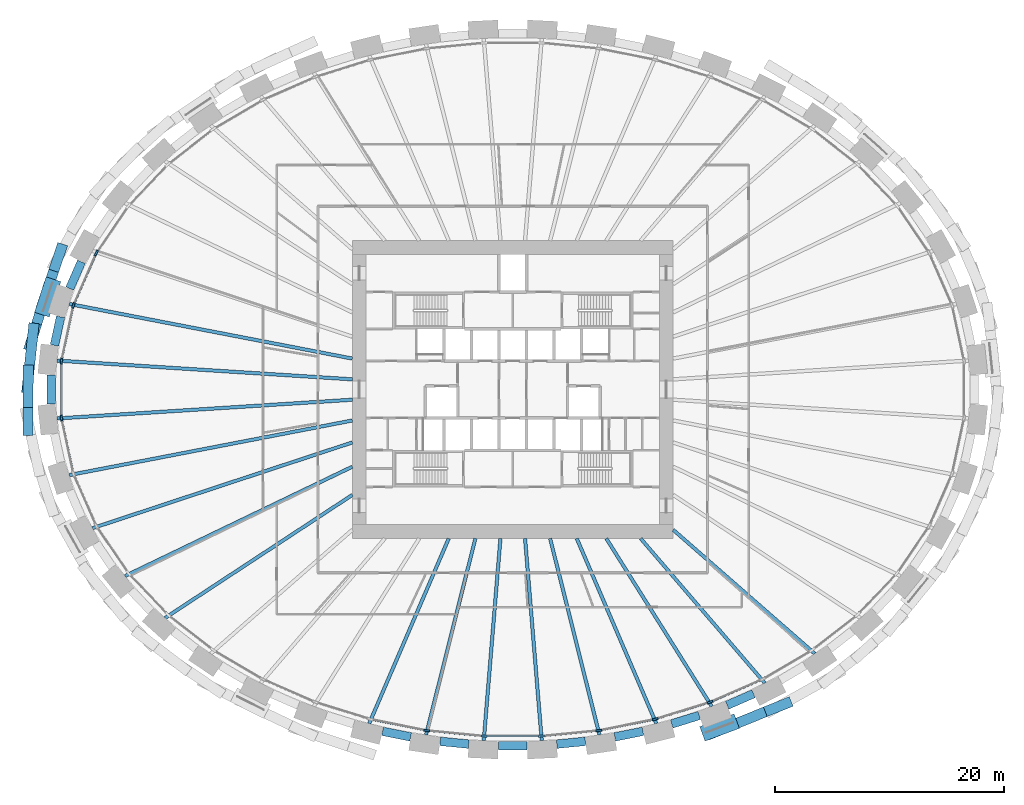
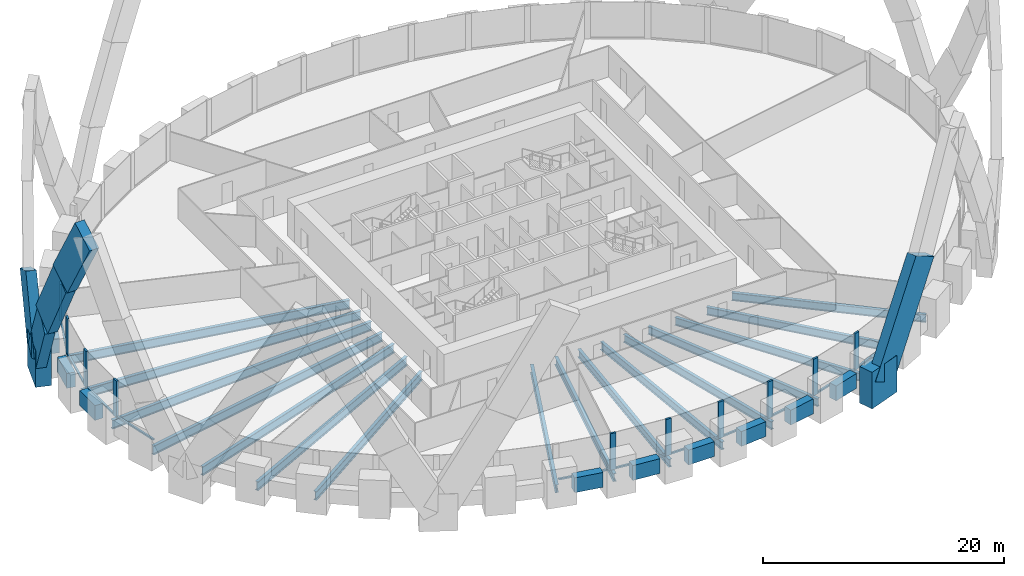
# One storey, part 2 of 12: 28 members, 26 beams, 1 element without a shape of its own.
"""IFC4 building model written with IfcOpenShell, lengths in metres."""

from ifc_helpers import new_model, si_unit, direction, frame, origin, origin_2d, place, context, subcontext, project, spatial, rectangle, i_section, extrude, source, transform, mapped, material, material_profile, profile_set, type_object, element, aggregate, save


model = new_model("IFC4")

# Units and contexts
model_context = context("Model", 3, precision=1e-05, world=origin(), true_north=direction((0.0, 1.0)))
body_context = subcontext(model_context, "Body", "Model", "MODEL_VIEW")
ifc_project = project(units=[si_unit("LENGTHUNIT", "METRE"), si_unit("AREAUNIT", "SQUARE_METRE"), si_unit("VOLUMEUNIT", "CUBIC_METRE"), si_unit("PLANEANGLEUNIT", "RADIAN"), si_unit("MASSUNIT", "GRAM", prefix="KILO")], contexts=[model_context])

# Site, building, storey
site_placement = place(None, origin())
site = spatial("IfcSite", under=ifc_project, at=site_placement, CompositionType="ELEMENT")
building_placement = place(site_placement, origin())
building = spatial("IfcBuilding", under=site, at=building_placement, Name="Embergate Tower", CompositionType="ELEMENT")
storey_placement = place(building_placement, frame((0.0, 0.0, 65.89990234375)))
storey = spatial("IfcBuildingStorey", under=building, at=storey_placement, Name="L12", CompositionType="ELEMENT", Elevation=65.89990234375)

# Beams
ifc_material_1 = material(Name="Concrete C70", Category="concrete")
ifc_material_profile_1 = material_profile(ifc_material_1, rectangle(XDim=0.75, YDim=1.5, at=origin_2d()), Name="RC 750x1500")
ifc_profile_set_1 = profile_set([ifc_material_profile_1], Name="Concrete C70")
beam_type_1 = type_object("IfcBeamType", Name="Spandrel beam RC 750x1500 C70", PredefinedType="BEAM", material=ifc_profile_set_1)
shared_shape_1 = source(origin(), body_context, "Body", "SweptSolid", [
    extrude(rectangle(XDim=0.75, YDim=1.5, at=origin_2d()), origin(), (0.0, 0.0, 1.0), 2.5439453125),
])
beam_1_placement = place(storey_placement, frame((-39.466064453125, 6.344970703125, 0.0), z_axis=(-0.210269633901, -0.977643432474, 0.0), x_axis=(0.977643432474, -0.210269633901, 0.0)))
element("IfcBeam", 1, at=beam_1_placement, inside=storey, type_object=beam_type_1, Name="SPN-L12-20", PredefinedType="BEAM", context=body_context, shape_type="MappedRepresentation", body=[
    mapped(shared_shape_1, transform((0.0, 0.0, 0.0))),
])
shared_shape_2 = source(origin(), body_context, "Body", "SweptSolid", [
    extrude(rectangle(XDim=0.75, YDim=1.5, at=origin_2d()), origin(), (0.0, 0.0, 1.0), 2.540771484375),
])
beam_2_placement = place(storey_placement, frame((-37.64599609375, 11.14599609375, 0.0), z_axis=(-0.401479097778, -0.915868185956, 0.0), x_axis=(0.915868185956, -0.401479097778, 0.0)))
element("IfcBeam", 2, at=beam_2_placement, inside=storey, type_object=beam_type_1, Name="SPN-L12-19", PredefinedType="BEAM", context=body_context, shape_type="MappedRepresentation", body=[
    mapped(shared_shape_2, transform((0.0, 0.0, 0.0))),
])
shared_shape_3 = source(origin(), body_context, "Body", "SweptSolid", [
    extrude(rectangle(XDim=0.75, YDim=1.5, at=origin_2d()), origin(), (0.0, 0.0, 1.0), 2.508056640625),
])
beam_3_placement = place(storey_placement, frame((18.716064453125, -27.553955078125, 0.0), z_axis=(0.916219880472, 0.400675842331, 0.0), x_axis=(-0.400675842331, 0.916219880472, 0.0)))
element("IfcBeam", 3, at=beam_3_placement, inside=storey, type_object=beam_type_1, Name="SPN-L12-36", PredefinedType="BEAM", context=body_context, shape_type="MappedRepresentation", body=[
    mapped(shared_shape_3, transform((0.0, 0.0, 0.0))),
])
shared_shape_4 = source(origin(), body_context, "Body", "SweptSolid", [
    extrude(rectangle(XDim=0.75, YDim=1.5, at=origin_2d()), origin(), (0.0, 0.0, 1.0), 2.505126953125),
])
beam_4_placement = place(storey_placement, frame((13.881103515625, -29.18896484375, 0.0), z_axis=(0.95477257779, 0.297337055715, 0.0), x_axis=(-0.297337055715, 0.95477257779, 0.0)))
element("IfcBeam", 4, at=beam_4_placement, inside=storey, type_object=beam_type_1, Name="SPN-L12-35", PredefinedType="BEAM", context=body_context, shape_type="MappedRepresentation", body=[
    mapped(shared_shape_4, transform((0.0, 0.0, 0.0))),
])
shared_shape_5 = source(origin(), body_context, "Body", "SweptSolid", [
    extrude(rectangle(XDim=0.75, YDim=1.5, at=origin_2d()), origin(), (0.0, 0.0, 1.0), 2.5029296875),
])
for number, where, z_axis, x_axis, name in (
    (5, (-11.362060546875, -29.83203125, 0.0), (0.980494293439, -0.196547552853, 0.0), (0.196547552853, 0.980494293439, 0.0), "SPN-L12-30"),
    (6, (8.907958984375, -30.323974609375, 0.0), (0.980494293439, 0.196547552853, 0.0), (-0.196547552853, 0.980494293439, 0.0), "SPN-L12-34"),
):
    element("IfcBeam", number, at=place(storey_placement, frame(where, z_axis=z_axis, x_axis=x_axis)), inside=storey, type_object=beam_type_1, Name=name, PredefinedType="BEAM", context=body_context, shape_type="MappedRepresentation", body=[
        mapped(shared_shape_5, transform((0.0, 0.0, 0.0))),
    ])
shared_shape_6 = source(origin(), body_context, "Body", "SweptSolid", [
    extrude(rectangle(XDim=0.75, YDim=1.5, at=origin_2d()), origin(), (0.0, 0.0, 1.0), 2.5009765625),
])
for number, where, z_axis, x_axis, name in (
    (7, (-6.3369140625, -30.70703125, 0.0), (0.995195384031, -0.097908873976, 0.0), (0.097908873976, 0.995195384031, 0.0), "SPN-L12-31"),
    (8, (3.847900390625, -30.951904296875, 0.0), (0.995195384031, 0.097908873976, 0.0), (-0.097908873976, 0.995195384031, 0.0), "SPN-L12-33"),
):
    element("IfcBeam", number, at=place(storey_placement, frame(where, z_axis=z_axis, x_axis=x_axis)), inside=storey, type_object=beam_type_1, Name=name, PredefinedType="BEAM", context=body_context, shape_type="MappedRepresentation", body=[
        mapped(shared_shape_6, transform((0.0, 0.0, 0.0))),
    ])
shared_shape_7 = source(origin(), body_context, "Body", "SweptSolid", [
    extrude(rectangle(XDim=0.75, YDim=1.5, at=origin_2d()), origin(), (0.0, 0.0, 1.0), 2.501953125),
])
beam_5_placement = place(storey_placement, frame((-1.2509765625, -31.0791015625, 0.0), z_axis=(1.0, 0.0, 0.0), x_axis=(0.0, 1.0, 0.0)))
element("IfcBeam", 9, at=beam_5_placement, inside=storey, type_object=beam_type_1, Name="SPN-L12-32", PredefinedType="BEAM", context=body_context, shape_type="MappedRepresentation", body=[
    mapped(shared_shape_7, transform((0.0, 0.0, 0.0))),
])
shared_shape_8 = source(origin(), body_context, "Body", "SweptSolid", [
    extrude(rectangle(XDim=0.75, YDim=1.5, at=origin_2d()), origin(), (0.0, 0.0, 1.0), 2.5498046875),
])
beam_6_placement = place(storey_placement, frame((-40.2958984375, 1.27490234375, 0.0), z_axis=(0.0, -1.0, 0.0), x_axis=(1.0, 0.0, 0.0)))
element("IfcBeam", 10, at=beam_6_placement, inside=storey, type_object=beam_type_1, Name="SPN-L12-21", PredefinedType="BEAM", context=body_context, shape_type="MappedRepresentation", body=[
    mapped(shared_shape_8, transform((0.0, 0.0, 0.0))),
])
ifc_material_2 = material(Name="Steel Q355B", Category="steel")
ifc_material_profile_2 = material_profile(ifc_material_2, i_section(OverallWidth=0.300048828125, OverallDepth=0.89990234375, WebThickness=0.01611328125, FlangeThickness=0.028076171875, FilletRadius=0.028076171875, at=origin_2d()), Name="HN 900x300x16x28")
ifc_profile_set_2 = profile_set([ifc_material_profile_2], Name="Steel Q355 grade B")
beam_type_2 = type_object("IfcBeamType", Name="Radial girder HN 900x300x16x28", PredefinedType="BEAM", material=ifc_profile_set_2)
shared_shape_9 = source(origin(), body_context, "Body", "SweptSolid", [
    extrude(i_section(OverallWidth=0.300048828125, OverallDepth=0.89990234375, WebThickness=0.01611328125, FlangeThickness=0.028076171875, FilletRadius=0.028076171875, at=origin_2d()), origin(), (0.0, 0.0, 1.0), 25.8330078125),
])
for number, where, z_axis, x_axis, name in (
    (11, (-39.781005859375, 2.527099609375, -0.64990234375), (0.997987282957, -0.063414375786, 0.0), (0.063414375786, 0.997987282957, 0.0), "GIR-L12-21"),
    (12, (-39.781005859375, -2.527099609375, -0.64990234375), (0.997987282957, 0.063414375786, 0.0), (-0.063414375786, 0.997987282957, 0.0), "GIR-L12-22"),
):
    element("IfcBeam", number, at=place(storey_placement, frame(where, z_axis=z_axis, x_axis=x_axis)), inside=storey, type_object=beam_type_2, Name=name, PredefinedType="BEAM", context=body_context, shape_type="MappedRepresentation", body=[
        mapped(shared_shape_9, transform((0.0, 0.0, 0.0))),
    ])
shared_shape_10 = source(origin(), body_context, "Body", "SweptSolid", [
    extrude(i_section(OverallWidth=0.300048828125, OverallDepth=0.89990234375, WebThickness=0.01611328125, FlangeThickness=0.028076171875, FilletRadius=0.028076171875, at=origin_2d()), origin(), (0.0, 0.0, 1.0), 25.173583984375),
])
for number, where, z_axis, x_axis, name in (
    (13, (-38.718017578125, 7.468994140625, -0.64990234375), (0.981898721565, -0.189406706822, 0.0), (0.189406706822, 0.981898721565, 0.0), "GIR-L12-20"),
    (14, (-38.718017578125, -7.468994140625, -0.64990234375), (0.981898721565, 0.189406706822, 0.0), (-0.189406706822, 0.981898721565, 0.0), "GIR-L12-23"),
):
    element("IfcBeam", number, at=place(storey_placement, frame(where, z_axis=z_axis, x_axis=x_axis)), inside=storey, type_object=beam_type_2, Name=name, PredefinedType="BEAM", context=body_context, shape_type="MappedRepresentation", body=[
        mapped(shared_shape_10, transform((0.0, 0.0, 0.0))),
    ])
shared_shape_11 = source(origin(), body_context, "Body", "SweptSolid", [
    extrude(i_section(OverallWidth=0.300048828125, OverallDepth=0.89990234375, WebThickness=0.01611328125, FlangeThickness=0.028076171875, FilletRadius=0.028076171875, at=origin_2d()), origin(), (0.0, 0.0, 1.0), 23.889404296875),
])
beam_7_placement = place(storey_placement, frame((-36.68701171875, -12.10009765625, -0.64990234375), z_axis=(0.949672981662, 0.313243081171, 0.0), x_axis=(-0.313243081171, 0.949672981662, 0.0)))
element("IfcBeam", 15, at=beam_7_placement, inside=storey, type_object=beam_type_2, Name="GIR-L12-24", PredefinedType="BEAM", context=body_context, shape_type="MappedRepresentation", body=[
    mapped(shared_shape_11, transform((0.0, 0.0, 0.0))),
])
shared_shape_12 = source(origin(), body_context, "Body", "SweptSolid", [
    extrude(i_section(OverallWidth=0.300048828125, OverallDepth=0.89990234375, WebThickness=0.01611328125, FlangeThickness=0.028076171875, FilletRadius=0.028076171875, at=origin_2d()), origin(), (0.0, 0.0, 1.0), 22.020751953125),
])
beam_8_placement = place(storey_placement, frame((-33.843994140625, -16.281005859375, -0.64990234375), z_axis=(0.90115457104, 0.433497911291, 0.0), x_axis=(-0.433497911291, 0.90115457104, 0.0)))
element("IfcBeam", 16, at=beam_8_placement, inside=storey, type_object=beam_type_2, Name="GIR-L12-25", PredefinedType="BEAM", context=body_context, shape_type="MappedRepresentation", body=[
    mapped(shared_shape_12, transform((0.0, 0.0, 0.0))),
])
shared_shape_13 = source(origin(), body_context, "Body", "SweptSolid", [
    extrude(i_section(OverallWidth=0.300048828125, OverallDepth=0.89990234375, WebThickness=0.01611328125, FlangeThickness=0.028076171875, FilletRadius=0.028076171875, at=origin_2d()), origin(), (0.0, 0.0, 1.0), 19.56591796875),
])
beam_9_placement = place(storey_placement, frame((-30.35205078125, -19.94189453125, -0.64990234375), z_axis=(0.835746219167, 0.549115886812, 0.0), x_axis=(-0.549115886812, 0.835746219167, 0.0)))
element("IfcBeam", 17, at=beam_9_placement, inside=storey, type_object=beam_type_2, Name="GIR-L12-26", PredefinedType="BEAM", context=body_context, shape_type="MappedRepresentation", body=[
    mapped(shared_shape_13, transform((0.0, 0.0, 0.0))),
])
ifc_material_profile_3 = material_profile(ifc_material_2, i_section(OverallWidth=0.300048828125, OverallDepth=0.800048828125, WebThickness=0.013916015625, FlangeThickness=0.02587890625, FilletRadius=0.028076171875, at=origin_2d()), Name="HN 800x300x14x26")
ifc_profile_set_3 = profile_set([ifc_material_profile_3], Name="Steel Q355 grade B")
beam_type_3 = type_object("IfcBeamType", Name="Radial girder HN 800x300x14x26", PredefinedType="BEAM", material=ifc_profile_set_3)
shared_shape_14 = source(origin(), body_context, "Body", "SweptSolid", [
    extrude(i_section(OverallWidth=0.300048828125, OverallDepth=0.800048828125, WebThickness=0.013916015625, FlangeThickness=0.02587890625, FilletRadius=0.028076171875, at=origin_2d()), origin(), (0.0, 0.0, 1.0), 16.424560546875),
])
beam_10_placement = place(storey_placement, frame((26.364013671875, -23.055908203125, -0.599853515625), z_axis=(-0.752772791173, 0.658280430265, 0.0), x_axis=(-0.658280430265, -0.752772791173, 0.0)))
element("IfcBeam", 18, at=beam_10_placement, inside=storey, type_object=beam_type_3, Name="GIR-L12-38", PredefinedType="BEAM", context=body_context, shape_type="MappedRepresentation", body=[
    mapped(shared_shape_14, transform((0.0, 0.0, 0.0))),
])
shared_shape_15 = source(origin(), body_context, "Body", "SweptSolid", [
    extrude(i_section(OverallWidth=0.300048828125, OverallDepth=0.800048828125, WebThickness=0.013916015625, FlangeThickness=0.02587890625, FilletRadius=0.028076171875, at=origin_2d()), origin(), (0.0, 0.0, 1.0), 16.6357421875),
])
beam_11_placement = place(storey_placement, frame((22.0009765625, -25.62109375, -0.599853515625), z_axis=(-0.651477578484, 0.758667888297, 0.0), x_axis=(-0.758667888297, -0.651477578484, 0.0)))
element("IfcBeam", 19, at=beam_11_placement, inside=storey, type_object=beam_type_3, Name="GIR-L12-37", PredefinedType="BEAM", context=body_context, shape_type="MappedRepresentation", body=[
    mapped(shared_shape_15, transform((0.0, 0.0, 0.0))),
])
shared_shape_16 = source(origin(), body_context, "Body", "SweptSolid", [
    extrude(i_section(OverallWidth=0.300048828125, OverallDepth=0.800048828125, WebThickness=0.013916015625, FlangeThickness=0.02587890625, FilletRadius=0.028076171875, at=origin_2d()), origin(), (0.0, 0.0, 1.0), 17.29833984375),
])
beam_12_placement = place(storey_placement, frame((17.364013671875, -27.64892578125, -0.599853515625), z_axis=(-0.53184228431, 0.84684342391, 0.0), x_axis=(-0.84684342391, -0.53184228431, 0.0)))
element("IfcBeam", 20, at=beam_12_placement, inside=storey, type_object=beam_type_3, Name="GIR-L12-36", PredefinedType="BEAM", context=body_context, shape_type="MappedRepresentation", body=[
    mapped(shared_shape_16, transform((0.0, 0.0, 0.0))),
])
shared_shape_17 = source(origin(), body_context, "Body", "SweptSolid", [
    extrude(i_section(OverallWidth=0.300048828125, OverallDepth=0.800048828125, WebThickness=0.013916015625, FlangeThickness=0.02587890625, FilletRadius=0.028076171875, at=origin_2d()), origin(), (0.0, 0.0, 1.0), 17.5830078125),
])
for number, where, z_axis, x_axis, name in (
    (21, (-12.531005859375, -29.154052734375, -0.599853515625), (0.394877633305, 0.91873372351, 0.0), (-0.91873372351, 0.394877633305, 0.0), "GIR-L12-30"),
    (22, (12.531005859375, -29.154052734375, -0.599853515625), (-0.394877633305, 0.91873372351, 0.0), (-0.91873372351, -0.394877633305, 0.0), "GIR-L12-35"),
):
    element("IfcBeam", number, at=place(storey_placement, frame(where, z_axis=z_axis, x_axis=x_axis)), inside=storey, type_object=beam_type_3, Name=name, PredefinedType="BEAM", context=body_context, shape_type="MappedRepresentation", body=[
        mapped(shared_shape_17, transform((0.0, 0.0, 0.0))),
    ])
shared_shape_18 = source(origin(), body_context, "Body", "SweptSolid", [
    extrude(i_section(OverallWidth=0.300048828125, OverallDepth=0.800048828125, WebThickness=0.013916015625, FlangeThickness=0.02587890625, FilletRadius=0.028076171875, at=origin_2d()), origin(), (0.0, 0.0, 1.0), 17.68115234375),
])
for number, where, z_axis, x_axis, name in (
    (23, (-7.568115234375, -30.14892578125, -0.599853515625), (0.243490697854, 0.969903232317, 0.0), (-0.969903232317, 0.243490697854, 0.0), "GIR-L12-31"),
    (24, (7.568115234375, -30.14892578125, -0.599853515625), (-0.243490697854, 0.969903232317, 0.0), (-0.969903232317, -0.243490697854, 0.0), "GIR-L12-34"),
):
    element("IfcBeam", number, at=place(storey_placement, frame(where, z_axis=z_axis, x_axis=x_axis)), inside=storey, type_object=beam_type_3, Name=name, PredefinedType="BEAM", context=body_context, shape_type="MappedRepresentation", body=[
        mapped(shared_shape_18, transform((0.0, 0.0, 0.0))),
    ])
shared_shape_19 = source(origin(), body_context, "Body", "SweptSolid", [
    extrude(i_section(OverallWidth=0.300048828125, OverallDepth=0.800048828125, WebThickness=0.013916015625, FlangeThickness=0.02587890625, FilletRadius=0.028076171875, at=origin_2d()), origin(), (0.0, 0.0, 1.0), 17.7041015625),
])
for number, where, z_axis, x_axis, name in (
    (25, (-2.531005859375, -30.64404296875, -0.599853515625), (0.082299081422, 0.99660767667, 0.0), (-0.99660767667, 0.082299081422, 0.0), "GIR-L12-32"),
    (26, (2.531005859375, -30.64404296875, -0.599853515625), (-0.082299081422, 0.99660767667, 0.0), (-0.99660767667, -0.082299081422, 0.0), "GIR-L12-33"),
):
    element("IfcBeam", number, at=place(storey_placement, frame(where, z_axis=z_axis, x_axis=x_axis)), inside=storey, type_object=beam_type_3, Name=name, PredefinedType="BEAM", context=body_context, shape_type="MappedRepresentation", body=[
        mapped(shared_shape_19, transform((0.0, 0.0, 0.0))),
    ])

# Members
ifc_material_profile_4 = material_profile(ifc_material_1, rectangle(XDim=1.35009765625, YDim=3.199951171875, at=origin_2d()), Name="RC 1350x3200")
ifc_profile_set_4 = profile_set([ifc_material_profile_4], Name="Concrete C70")
member_type_1 = type_object("IfcMemberType", Name="Lattice node block RC 1350x3200", PredefinedType="POST", material=ifc_profile_set_4)
shared_shape_20 = source(origin(), body_context, "Body", "SweptSolid", [
    extrude(rectangle(XDim=1.35009765625, YDim=3.199951171875, at=origin_2d()), origin(), (0.0, 0.0, 1.0), 3.699951171875),
])
member_1_placement = place(storey_placement, frame((18.052001953125, -29.5, -1.849853515625), z_axis=(0.0, 0.0, 1.0), x_axis=(0.348343015724, -0.93736713373, 0.0)))
element("IfcMember", 27, at=member_1_placement, inside=storey, type_object=member_type_1, Name="NOD-L12-36", PredefinedType="POST", context=body_context, shape_type="MappedRepresentation", body=[
    mapped(shared_shape_20, transform((0.0, 0.0, 0.0))),
])
ifc_material_profile_5 = material_profile(ifc_material_1, rectangle(XDim=1.35009765625, YDim=3.25, at=origin_2d()), Name="RC 1350x3250")
ifc_profile_set_5 = profile_set([ifc_material_profile_5], Name="Concrete C70")
member_type_2 = type_object("IfcMemberType", Name="Lattice node block RC 1350x3250", PredefinedType="POST", material=ifc_profile_set_5)
shared_shape_21 = source(origin(), body_context, "Body", "SweptSolid", [
    extrude(rectangle(XDim=1.35009765625, YDim=3.25, at=origin_2d()), origin(), (0.0, 0.0, 1.0), 3.75),
])
member_2_placement = place(storey_placement, frame((-40.595947265625, 8.0810546875, -1.875), z_axis=(0.0, 0.0, 1.0), x_axis=(-0.950754033697, 0.309946394413, 0.0)))
element("IfcMember", 28, at=member_2_placement, inside=storey, type_object=member_type_2, Name="NOD-L12-20", PredefinedType="POST", context=body_context, shape_type="MappedRepresentation", body=[
    mapped(shared_shape_21, transform((0.0, 0.0, 0.0))),
])
ifc_material_profile_6 = material_profile(ifc_material_1, rectangle(XDim=0.89990234375, YDim=2.800048828125, at=origin_2d()), Name="RC 900x2800")
ifc_profile_set_6 = profile_set([ifc_material_profile_6], Name="Concrete C70")
member_type_3 = type_object("IfcMemberType", Name="Lattice diagonal terracotta-faced RC 900x2800", PredefinedType="BRACE", material=ifc_profile_set_6)
shared_shape_22 = source(origin(), body_context, "Body", "SweptSolid", [
    extrude(rectangle(XDim=0.89990234375, YDim=2.800048828125, at=origin_2d()), origin(), (0.0, 0.0, 1.0), 7.475830078125),
])
for number, where, z_axis, x_axis, name in (
    (29, (-41.9130859375, 4.5810546875, 6.5), (-0.052154478662, -0.491205706677, 0.869480801446), (0.99441049617, -0.105582977354, 0.0), "BRC-L12-20-22-S01"),
    (30, (-42.302978515625, 0.908935546875, 13.0), (-0.001077698274, -0.493977699815, 0.869473904526), (0.999997620158, -0.002181668747, 0.0), "BRC-L12-20-22-S02"),
):
    element("IfcMember", number, at=place(storey_placement, frame(where, z_axis=z_axis, x_axis=x_axis)), inside=storey, type_object=member_type_3, Name=name, PredefinedType="BRACE", context=body_context, shape_type="MappedRepresentation", body=[
        mapped(shared_shape_22, transform((0.0, 0.0, 0.0))),
    ])
shared_shape_23 = source(origin(), body_context, "Body", "SweptSolid", [
    extrude(rectangle(XDim=0.89990234375, YDim=2.800048828125, at=origin_2d()), origin(), (0.0, 0.0, 1.0), 7.41259765625),
])
member_3_placement = place(storey_placement, frame((-40.81005859375, 8.15087890625, 0.0), z_axis=(0.153380365471, 0.45559600506, 0.876873276854), x_axis=(-0.947733585141, 0.319062770621, 0.0)))
element("IfcMember", 31, at=member_3_placement, inside=storey, type_object=member_type_3, Name="BRC-L12-20-18-S00", PredefinedType="BRACE", context=body_context, shape_type="MappedRepresentation", body=[
    mapped(shared_shape_23, transform((0.0, 0.0, 0.0))),
])
shared_shape_24 = source(origin(), body_context, "Body", "SweptSolid", [
    extrude(rectangle(XDim=0.89990234375, YDim=2.800048828125, at=origin_2d()), origin(), (0.0, 0.0, 1.0), 7.497314453125),
])
member_4_placement = place(storey_placement, frame((-40.81005859375, 8.15087890625, 0.0), z_axis=(-0.147122220788, -0.476144557848, 0.866972555611), x_axis=(0.955430792459, -0.295215177153, 0.0)))
element("IfcMember", 32, at=member_4_placement, inside=storey, type_object=member_type_3, Name="BRC-L12-20-22-S00", PredefinedType="BRACE", context=body_context, shape_type="MappedRepresentation", body=[
    mapped(shared_shape_24, transform((0.0, 0.0, 0.0))),
])
shared_shape_25 = source(origin(), body_context, "Body", "SweptSolid", [
    extrude(rectangle(XDim=0.89990234375, YDim=2.800048828125, at=origin_2d()), origin(), (0.0, 0.0, 1.0), 11.166259765625),
])
member_5_placement = place(storey_placement, frame((18.1298828125, -29.7109375, 0.0), z_axis=(0.452082424229, 0.182236640032, 0.873161662427), x_axis=(-0.373871877257, 0.927480360653, 0.0)))
element("IfcMember", 33, at=member_5_placement, inside=storey, type_object=member_type_3, Name="BRC-L12-36-38-S00", PredefinedType="BRACE", context=body_context, shape_type="MappedRepresentation", body=[
    mapped(shared_shape_25, transform((0.0, 0.0, 0.0))),
])

# Curtain wall, members
ifc_material_3 = material(Name="Aluminium and glass", Category="aluminium")
curtain_wall_type = type_object("IfcCurtainWallType", Name="Recessed office glazing", PredefinedType="NOTDEFINED", material=ifc_material_3)
curtain_wall_placement = place(storey_placement, origin())
curtain_wall = element("IfcCurtainWall", 34, at=curtain_wall_placement, inside=storey, type_object=curtain_wall_type, Name="Recessed office glazing ring", ObjectType="RECESSED OFFICE GLAZING", PredefinedType="USERDEFINED")
ifc_material_4 = material(Name="Aluminium, thermally broken", Category="aluminium")
ifc_material_profile_7 = material_profile(ifc_material_4, rectangle(XDim=0.179931640625, YDim=0.52001953125, at=origin_2d()), Name="AL 520x180")
ifc_profile_set_7 = profile_set([ifc_material_profile_7], Name="Aluminium, thermally broken")
member_type_4 = type_object("IfcMemberType", Name="Office mullion", PredefinedType="MULLION", material=ifc_profile_set_7)
shared_shape_26 = source(origin(), body_context, "Body", "SweptSolid", [
    extrude(rectangle(XDim=0.179931640625, YDim=0.52001953125, at=origin_2d()), origin(), (0.0, 0.0, 1.0), 3.7001953125),
])
member_6_placement = place(storey_placement, frame((-36.3466796875, 11.909423828125, 0.0), z_axis=(0.0, 0.0, 1.0), x_axis=(0.875010345178, -0.48410422001, 0.0)))
member_6 = element("IfcMember", 35, at=member_6_placement, type_object=member_type_4, Name="CW mullion 20", PredefinedType="MULLION", context=body_context, shape_type="MappedRepresentation", body=[
    mapped(shared_shape_26, transform((0.0, 0.0, 0.0))),
])
member_7_placement = place(storey_placement, frame((-38.347412109375, 7.347900390625, 0.0), z_axis=(0.0, 0.0, 1.0), x_axis=(0.951502093582, -0.307642269381, 0.0)))
member_7 = element("IfcMember", 36, at=member_7_placement, type_object=member_type_4, Name="CW mullion 21", PredefinedType="MULLION", context=body_context, shape_type="MappedRepresentation", body=[
    mapped(shared_shape_26, transform((0.0, 0.0, 0.0))),
])
member_8_placement = place(storey_placement, frame((-39.393798828125, 2.485595703125, 0.0), z_axis=(0.0, 0.0, 1.0), x_axis=(0.994385508811, -0.105818050756, 0.0)))
member_8 = element("IfcMember", 37, at=member_8_placement, type_object=member_type_4, Name="CW mullion 22", PredefinedType="MULLION", context=body_context, shape_type="MappedRepresentation", body=[
    mapped(shared_shape_26, transform((0.0, 0.0, 0.0))),
])
member_9_placement = place(storey_placement, frame((-39.393798828125, -2.485595703125, 0.0), z_axis=(0.0, 0.0, 1.0), x_axis=(0.994385508811, 0.105818050756, 0.0)))
member_9 = element("IfcMember", 38, at=member_9_placement, type_object=member_type_4, Name="CW mullion 23", PredefinedType="MULLION", context=body_context, shape_type="MappedRepresentation", body=[
    mapped(shared_shape_26, transform((0.0, 0.0, 0.0))),
])
member_10_placement = place(storey_placement, frame((-7.51123046875, -29.76318359375, 0.0), z_axis=(0.0, 0.0, 1.0), x_axis=(0.147415835341, 0.989074603602, 0.0)))
member_10 = element("IfcMember", 39, at=member_10_placement, type_object=member_type_4, Name="CW mullion 32", PredefinedType="MULLION", context=body_context, shape_type="MappedRepresentation", body=[
    mapped(shared_shape_26, transform((0.0, 0.0, 0.0))),
])
member_11_placement = place(storey_placement, frame((-2.511962890625, -30.254638671875, 0.0), z_axis=(0.0, 0.0, 1.0), x_axis=(0.048971796621, 0.998800161762, 0.0)))
member_11 = element("IfcMember", 40, at=member_11_placement, type_object=member_type_4, Name="CW mullion 33", PredefinedType="MULLION", context=body_context, shape_type="MappedRepresentation", body=[
    mapped(shared_shape_26, transform((0.0, 0.0, 0.0))),
])
member_12_placement = place(storey_placement, frame((2.511962890625, -30.254638671875, 0.0), z_axis=(0.0, 0.0, 1.0), x_axis=(-0.048971796621, 0.998800161762, 0.0)))
member_12 = element("IfcMember", 41, at=member_12_placement, type_object=member_type_4, Name="CW mullion 34", PredefinedType="MULLION", context=body_context, shape_type="MappedRepresentation", body=[
    mapped(shared_shape_26, transform((0.0, 0.0, 0.0))),
])
member_13_placement = place(storey_placement, frame((7.51123046875, -29.76318359375, 0.0), z_axis=(0.0, 0.0, 1.0), x_axis=(-0.147415835341, 0.989074603602, 0.0)))
member_13 = element("IfcMember", 42, at=member_13_placement, type_object=member_type_4, Name="CW mullion 35", PredefinedType="MULLION", context=body_context, shape_type="MappedRepresentation", body=[
    mapped(shared_shape_26, transform((0.0, 0.0, 0.0))),
])
member_14_placement = place(storey_placement, frame((12.435302734375, -28.775634765625, 0.0), z_axis=(0.0, 0.0, 1.0), x_axis=(-0.247318645812, 0.968934201808, 0.0)))
member_14 = element("IfcMember", 43, at=member_14_placement, type_object=member_type_4, Name="CW mullion 36", PredefinedType="MULLION", context=body_context, shape_type="MappedRepresentation", body=[
    mapped(shared_shape_26, transform((0.0, 0.0, 0.0))),
])
member_15_placement = place(storey_placement, frame((17.22802734375, -27.282958984375, 0.0), z_axis=(0.0, 0.0, 1.0), x_axis=(-0.349510859141, 0.936932313106, 0.0)))
member_15 = element("IfcMember", 44, at=member_15_placement, type_object=member_type_4, Name="CW mullion 37", PredefinedType="MULLION", context=body_context, shape_type="MappedRepresentation", body=[
    mapped(shared_shape_26, transform((0.0, 0.0, 0.0))),
])
ifc_material_profile_8 = material_profile(ifc_material_4, rectangle(XDim=0.179931640625, YDim=0.14990234375, at=origin_2d()), Name="AL 150x180")
ifc_profile_set_8 = profile_set([ifc_material_profile_8], Name="Aluminium, thermally broken")
member_type_5 = type_object("IfcMemberType", Name="Office sill transom", PredefinedType="USERDEFINED", material=ifc_profile_set_8)
shared_shape_27 = source(origin(), body_context, "Body", "SweptSolid", [
    extrude(rectangle(XDim=0.179931640625, YDim=0.14990234375, at=origin_2d()), origin(), (0.0, 0.0, 1.0), 4.45361328125),
])
member_16_placement = place(storey_placement, frame((-38.402099609375, 7.09375, 0.0751953125), z_axis=(-0.210390045313, -0.977617526865, 0.0), x_axis=(0.977617526865, -0.210390045313, 0.0)))
member_16 = element("IfcMember", 45, at=member_16_placement, type_object=member_type_5, Name="CW transom 21.1", ObjectType="TRANSOM", PredefinedType="USERDEFINED", context=body_context, shape_type="MappedRepresentation", body=[
    mapped(shared_shape_27, transform((0.0, 0.0, 0.0))),
])
member_17_placement = place(storey_placement, frame((-39.339111328125, -2.73974609375, 0.0751953125), z_axis=(0.210390045313, -0.977617526865, 0.0), x_axis=(0.977617526865, 0.210390045313, 0.0)))
member_17 = element("IfcMember", 46, at=member_17_placement, type_object=member_type_5, Name="CW transom 23.1", ObjectType="TRANSOM", PredefinedType="USERDEFINED", context=body_context, shape_type="MappedRepresentation", body=[
    mapped(shared_shape_27, transform((0.0, 0.0, 0.0))),
])
shared_shape_28 = source(origin(), body_context, "Body", "SweptSolid", [
    extrude(rectangle(XDim=0.179931640625, YDim=0.14990234375, at=origin_2d()), origin(), (0.0, 0.0, 1.0), 4.460693359375),
])
member_18_placement = place(storey_placement, frame((-36.451416015625, 11.67138671875, 0.0751953125), z_axis=(-0.401613983085, -0.915809045921, 0.0), x_axis=(0.915809045921, -0.401613983085, 0.0)))
member_18 = element("IfcMember", 47, at=member_18_placement, type_object=member_type_5, Name="CW transom 20.1", ObjectType="TRANSOM", PredefinedType="USERDEFINED", context=body_context, shape_type="MappedRepresentation", body=[
    mapped(shared_shape_28, transform((0.0, 0.0, 0.0))),
])
shared_shape_29 = source(origin(), body_context, "Body", "SweptSolid", [
    extrude(rectangle(XDim=0.179931640625, YDim=0.14990234375, at=origin_2d()), origin(), (0.0, 0.0, 1.0), 4.49658203125),
])
member_19_placement = place(storey_placement, frame((17.46630859375, -27.178955078125, 0.0751953125), z_axis=(0.9162134002, 0.400690660354, 0.0), x_axis=(-0.400690660354, 0.9162134002, 0.0)))
member_19 = element("IfcMember", 48, at=member_19_placement, type_object=member_type_5, Name="CW transom 37.1", ObjectType="TRANSOM", PredefinedType="USERDEFINED", context=body_context, shape_type="MappedRepresentation", body=[
    mapped(shared_shape_29, transform((0.0, 0.0, 0.0))),
])
shared_shape_30 = source(origin(), body_context, "Body", "SweptSolid", [
    extrude(rectangle(XDim=0.179931640625, YDim=0.14990234375, at=origin_2d()), origin(), (0.0, 0.0, 1.0), 4.5),
])
member_20_placement = place(storey_placement, frame((12.68359375, -28.698486328125, 0.0751953125), z_axis=(0.954763366225, 0.297366633156, 0.0), x_axis=(-0.297366633156, 0.954763366225, 0.0)))
member_20 = element("IfcMember", 49, at=member_20_placement, type_object=member_type_5, Name="CW transom 36.1", ObjectType="TRANSOM", PredefinedType="USERDEFINED", context=body_context, shape_type="MappedRepresentation", body=[
    mapped(shared_shape_30, transform((0.0, 0.0, 0.0))),
])
shared_shape_31 = source(origin(), body_context, "Body", "SweptSolid", [
    extrude(rectangle(XDim=0.179931640625, YDim=0.14990234375, at=origin_2d()), origin(), (0.0, 0.0, 1.0), 4.502197265625),
])
member_21_placement = place(storey_placement, frame((-12.180419921875, -28.826904296875, 0.0751953125), z_axis=(0.980478345518, -0.196627093681, 0.0), x_axis=(0.196627093681, 0.980478345518, 0.0)))
member_21 = element("IfcMember", 50, at=member_21_placement, type_object=member_type_5, Name="CW transom 31.1", ObjectType="TRANSOM", PredefinedType="USERDEFINED", context=body_context, shape_type="MappedRepresentation", body=[
    mapped(shared_shape_31, transform((0.0, 0.0, 0.0))),
])
member_22_placement = place(storey_placement, frame((7.76611328125, -29.712158203125, 0.0751953125), z_axis=(0.980478345518, 0.196627093681, 0.0), x_axis=(-0.196627093681, 0.980478345518, 0.0)))
member_22 = element("IfcMember", 51, at=member_22_placement, type_object=member_type_5, Name="CW transom 35.1", ObjectType="TRANSOM", PredefinedType="USERDEFINED", context=body_context, shape_type="MappedRepresentation", body=[
    mapped(shared_shape_31, transform((0.0, 0.0, 0.0))),
])
shared_shape_32 = source(origin(), body_context, "Body", "SweptSolid", [
    extrude(rectangle(XDim=0.179931640625, YDim=0.14990234375, at=origin_2d()), origin(), (0.0, 0.0, 1.0), 4.503173828125),
])
member_23_placement = place(storey_placement, frame((-7.25244140625, -29.788818359375, 0.0751953125), z_axis=(0.995205892048, -0.097802006279, 0.0), x_axis=(0.097802006279, 0.995205892048, 0.0)))
member_23 = element("IfcMember", 52, at=member_23_placement, type_object=member_type_5, Name="CW transom 32.1", ObjectType="TRANSOM", PredefinedType="USERDEFINED", context=body_context, shape_type="MappedRepresentation", body=[
    mapped(shared_shape_32, transform((0.0, 0.0, 0.0))),
])
member_24_placement = place(storey_placement, frame((2.770751953125, -30.229248046875, 0.0751953125), z_axis=(0.995205892048, 0.097802006279, 0.0), x_axis=(-0.097802006279, 0.995205892048, 0.0)))
member_24 = element("IfcMember", 53, at=member_24_placement, type_object=member_type_5, Name="CW transom 34.1", ObjectType="TRANSOM", PredefinedType="USERDEFINED", context=body_context, shape_type="MappedRepresentation", body=[
    mapped(shared_shape_32, transform((0.0, 0.0, 0.0))),
])
shared_shape_33 = source(origin(), body_context, "Body", "SweptSolid", [
    extrude(rectangle(XDim=0.179931640625, YDim=0.14990234375, at=origin_2d()), origin(), (0.0, 0.0, 1.0), 4.50390625),
])
member_25_placement = place(storey_placement, frame((-2.251953125, -30.254638671875, 0.0751953125), z_axis=(1.0, 0.0, 0.0), x_axis=(0.0, 1.0, 0.0)))
member_25 = element("IfcMember", 54, at=member_25_placement, type_object=member_type_5, Name="CW transom 33.1", ObjectType="TRANSOM", PredefinedType="USERDEFINED", context=body_context, shape_type="MappedRepresentation", body=[
    mapped(shared_shape_33, transform((0.0, 0.0, 0.0))),
])
shared_shape_34 = source(origin(), body_context, "Body", "SweptSolid", [
    extrude(rectangle(XDim=0.179931640625, YDim=0.14990234375, at=origin_2d()), origin(), (0.0, 0.0, 1.0), 4.451171875),
])
member_26_placement = place(storey_placement, frame((-39.393798828125, 2.2255859375, 0.0751953125), z_axis=(0.0, -1.0, 0.0), x_axis=(1.0, 0.0, 0.0)))
member_26 = element("IfcMember", 55, at=member_26_placement, type_object=member_type_5, Name="CW transom 22.1", ObjectType="TRANSOM", PredefinedType="USERDEFINED", context=body_context, shape_type="MappedRepresentation", body=[
    mapped(shared_shape_34, transform((0.0, 0.0, 0.0))),
])
aggregate(curtain_wall, [member_6, member_7, member_8, member_9, member_10, member_11, member_12, member_13, member_14, member_15, member_18, member_16, member_26, member_17, member_21, member_23, member_25, member_24, member_22, member_20, member_19])

save(model, "model.ifc")
